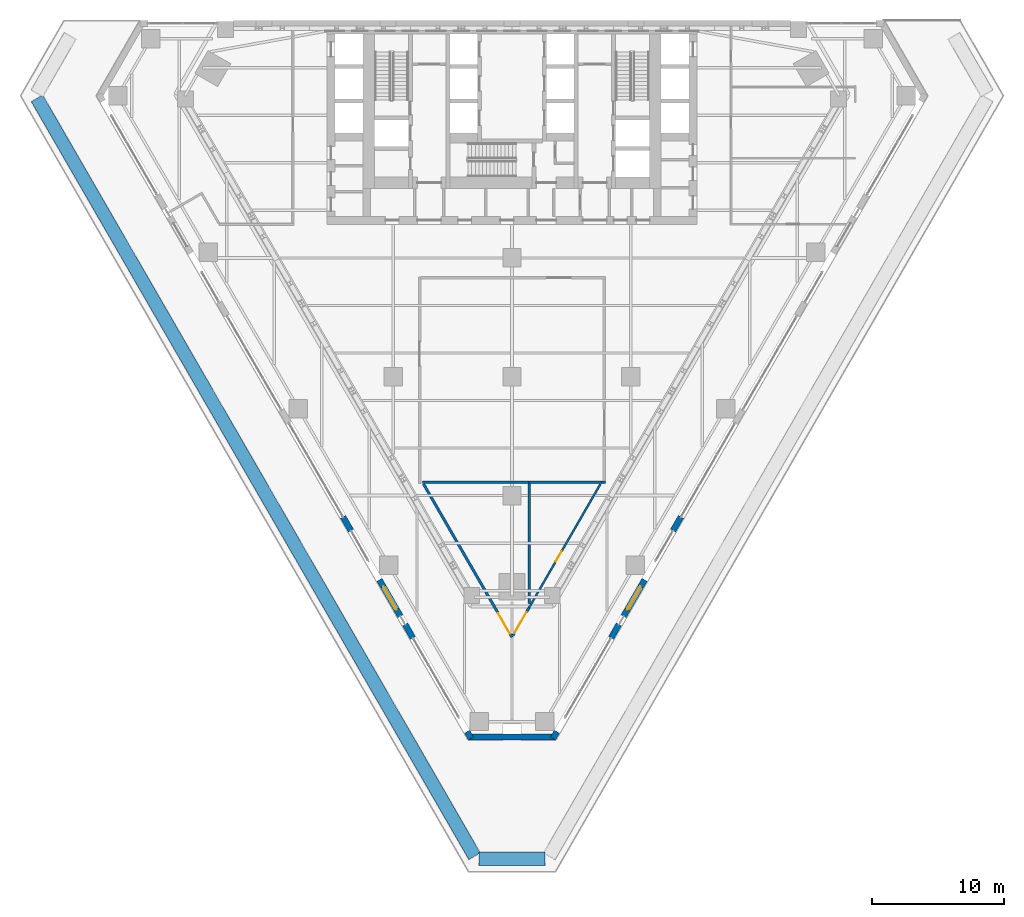
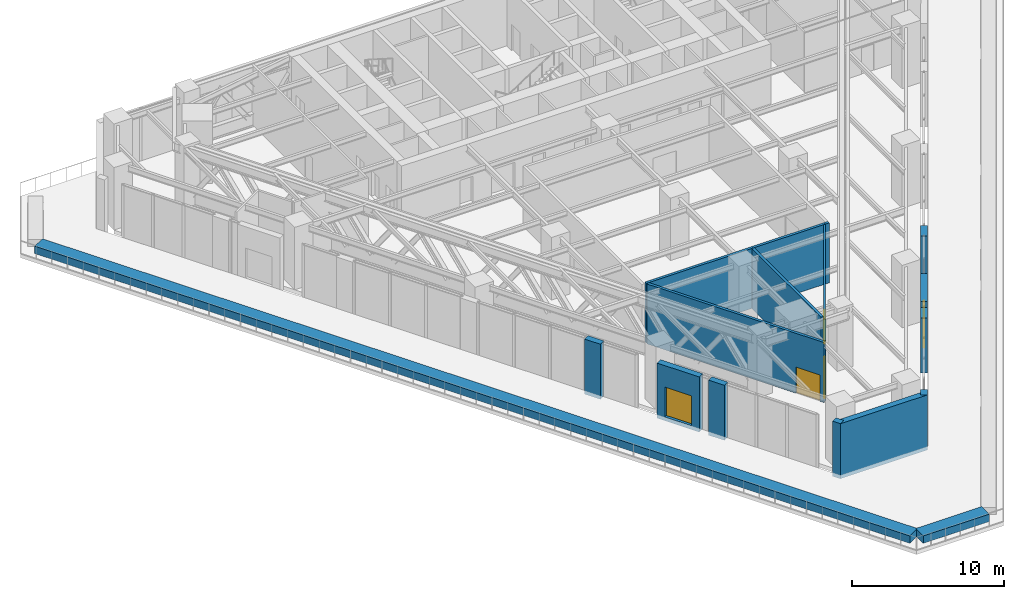
# One storey, part 17 of 25: 18 walls, 5 doors, 5 openings.
"""IFC4 building model written with IfcOpenShell, lengths in metres."""

from ifc_helpers import new_model, si_unit, direction, frame, frame_2d, origin, place, context, subcontext, project, spatial, polyline, rectangle, outline, extrude, material, layer, layer_set, type_object, element, fill, save


model = new_model("IFC4")

# Units and contexts
model_context = context("Model", 3, precision=1e-05, world=origin(), true_north=direction((0.0, 1.0)))
body_context = subcontext(model_context, "Body", "Model", "MODEL_VIEW")
ifc_project = project(units=[si_unit("LENGTHUNIT", "METRE"), si_unit("AREAUNIT", "SQUARE_METRE"), si_unit("VOLUMEUNIT", "CUBIC_METRE"), si_unit("PLANEANGLEUNIT", "RADIAN"), si_unit("MASSUNIT", "GRAM", prefix="KILO")], contexts=[model_context])

# Site, building, storey
site_placement = place(None, origin())
site = spatial("IfcSite", under=ifc_project, at=site_placement, CompositionType="ELEMENT")
building_placement = place(site_placement, origin())
building = spatial("IfcBuilding", under=site, at=building_placement, Name="Aloe Facet Convention Tower", CompositionType="ELEMENT")
storey_placement = place(building_placement, frame((0.0, 0.0, 30.0)))
storey = spatial("IfcBuildingStorey", under=building, at=storey_placement, Name="L05", CompositionType="ELEMENT", Elevation=30.0)

# Walls
ifc_material_1 = material(Name="Precast concrete C40/50", Category="concrete")
ifc_layer_1 = layer(ifc_material_1, 1.0)
ifc_layer_set_1 = layer_set([ifc_layer_1], Name="EV-PLANTER-BED")
wall_type_1 = type_object("IfcWallType", Name="EV-PLANTER-BED", PredefinedType="STANDARD", material=ifc_layer_set_1)
wall_1_placement = place(storey_placement, frame((82.5, 71.486328125, 0.0), z_axis=(0.0, 0.0, 1.0), x_axis=(-1.0, 0.0, 0.0)))
element("IfcWall", 1, at=wall_1_placement, inside=storey, type_object=wall_type_1, Name="PLANTER PT-L05-1-3", PredefinedType="STANDARD", context=body_context, shape_type="SweptSolid", body=[
    extrude(rectangle(XDim=5.0, YDim=1.0, at=frame_2d((2.5, 0.0))), origin(), (0.0, 0.0, 1.0), 0.60009765625),
])
wall_2_placement = place(storey_placement, frame((77.166015625, 71.67919921875, 0.0), z_axis=(0.0, 0.0, 1.0), x_axis=(-0.500000858155, 0.866024908328, 0.0)))
element("IfcWall", 2, at=wall_2_placement, inside=storey, type_object=wall_type_1, Name="PLANTER PT-L05-1-4", PredefinedType="STANDARD", context=body_context, shape_type="SweptSolid", body=[
    extrude(rectangle(XDim=66.2939453125, YDim=1.0, at=frame_2d((33.14697265625, 0.0))), origin(), (0.0, 0.0, 1.0), 0.60009765625),
])
ifc_material_2 = material(Name="Precast concrete C40/50", Category="concrete")
ifc_layer_2 = layer(ifc_material_2, 0.449951171875)
ifc_layer_set_2 = layer_set([ifc_layer_2], Name="EV-WALL-PIER")
wall_type_2 = type_object("IfcWallType", Name="EV-WALL-PIER", PredefinedType="SOLIDWALL", material=ifc_layer_set_2)
wall_3_placement = place(storey_placement, frame((0.0, 0.0, -0.300048828125)))
element("IfcWall", 3, at=wall_3_placement, inside=storey, type_object=wall_type_2, Name="EP-L05-B", PredefinedType="SOLIDWALL", context=body_context, shape_type="SweptSolid", body=[
    extrude(outline(polyline([(76.699951171875, 80.486328125), (77.089599609375, 80.711181640625), (76.959716796875, 80.936279296875), (83.040283203125, 80.936279296875), (82.910400390625, 80.711181640625), (83.300048828125, 80.486328125), (76.699951171875, 80.486328125)])), origin(), (0.0, 0.0, 1.0), 4.41259765625),
])
ifc_material_3 = material(Name="Precast concrete C40/50", Category="concrete")
ifc_layer_3 = layer(ifc_material_3, 0.449951171875)
ifc_layer_set_3 = layer_set([ifc_layer_3], Name="EV-WALL-STONE")
wall_type_3 = type_object("IfcWallType", Name="EV-WALL-STONE", PredefinedType="SOLIDWALL", material=ifc_layer_set_3)
wall_4_placement = place(storey_placement, frame((67.20361328125, 97.38427734375, -0.300048828125), z_axis=(0.0, 0.0, 1.0), x_axis=(0.50012165622, -0.865955154139, 0.0)))
element("IfcWall", 4, at=wall_4_placement, inside=storey, type_object=wall_type_3, Name="PW-L05-W09", PredefinedType="SOLIDWALL", context=body_context, shape_type="SweptSolid", body=[
    extrude(rectangle(XDim=1.199951171875, YDim=0.449951171875, at=frame_2d((0.60009765625, 0.0))), origin(), (0.0, 0.0, 1.0), 4.41259765625),
])

# Wall, opening, door
wall_5_placement = place(storey_placement, frame((69.951416015625, 92.625, -0.300048828125), z_axis=(0.0, 0.0, 1.0), x_axis=(0.500028443584, -0.866008981251, 0.0)))
wall_5 = element("IfcWall", 5, at=wall_5_placement, inside=storey, type_object=wall_type_3, Name="PW-L05-W10", PredefinedType="SOLIDWALL", context=body_context, shape_type="SweptSolid", body=[
    extrude(rectangle(XDim=3.199951171875, YDim=0.449951171875, at=frame_2d((1.60009765625, 0.0))), origin(), (0.0, 0.0, 1.0), 4.41259765625),
])
opening_1_placement = place(wall_5_placement, frame((0.60009765625, 0.0, 0.300048828125)))
opening_1 = element("IfcOpeningElement", 6, at=opening_1_placement, cuts=wall_5, Name="Opening D-L05-W10", PredefinedType="OPENING", context=body_context, shape_type="SweptSolid", body=[
    extrude(rectangle(XDim=2.0, YDim=2.39990234375, at=frame_2d((1.0, 1.199951171875))), frame((0.0, 0.23486328125, 0.0), z_axis=(0.0, -1.0, 0.0), x_axis=(1.0, 0.0, 0.0)), (0.0, 0.0, 1.0), 0.469970703125),
])
ifc_material_4 = material(Name="Aluminium frame, clear double glazing", Category="aluminium")
door_type_1 = type_object("IfcDoorType", Name="EV-DOOR-HALL", OperationType="DOUBLE_DOOR_SINGLE_SWING", PredefinedType="DOOR", material=ifc_material_4)
door_1_placement = place(opening_1_placement, origin())
door_1 = element("IfcDoor", 7, at=door_1_placement, inside=storey, type_object=door_type_1, Name="D-L05-W10", OperationType="DOUBLE_DOOR_SINGLE_SWING", OverallHeight=2.39990234375, OverallWidth=2.0, PredefinedType="DOOR", context=body_context, shape_type="SweptSolid", body=[
    extrude(rectangle(XDim=2.0, YDim=2.39990234375, at=frame_2d((1.0, 1.199951171875))), frame((0.0, 0.02490234375, 0.0), z_axis=(0.0, -1.0, 0.0), x_axis=(1.0, 0.0, 0.0)), (0.0, 0.0, 1.0), 0.050048828125),
])
fill(opening_1, door_1)

# Walls
wall_6_placement = place(storey_placement, frame((71.899169921875, 89.25146484375, -0.300048828125), z_axis=(0.0, 0.0, 1.0), x_axis=(0.500033551112, -0.866006032174, 0.0)))
element("IfcWall", 8, at=wall_6_placement, inside=storey, type_object=wall_type_3, Name="PW-L05-W11", PredefinedType="SOLIDWALL", context=body_context, shape_type="SweptSolid", body=[
    extrude(rectangle(XDim=1.2001953125, YDim=0.449951171875, at=frame_2d((0.60009765625, 0.0))), origin(), (0.0, 0.0, 1.0), 4.41259765625),
])
for number, where, z_axis, x_axis, name in (
    (9, (76.594970703125, 81.118408203125, -0.300048828125), (0.0, 0.0, 1.0), (0.499816412211, -0.866131372301, 0.0), "PW-L05-W13"),
    (10, (83.105224609375, 80.598876953125, -0.300048828125), (0.0, 0.0, 1.0), (0.499816412211, 0.866131372301, 0.0), "PW-L05-E01"),
):
    element("IfcWall", number, at=place(storey_placement, frame(where, z_axis=z_axis, x_axis=x_axis)), inside=storey, type_object=wall_type_3, Name=name, PredefinedType="SOLIDWALL", context=body_context, shape_type="SweptSolid", body=[
        extrude(rectangle(XDim=0.599853515625, YDim=0.449951171875, at=frame_2d((0.2998046875, 0.0))), origin(), (0.0, 0.0, 1.0), 4.41259765625),
    ])
wall_7_placement = place(storey_placement, frame((87.500732421875, 88.212158203125, -0.300048828125), z_axis=(0.0, 0.0, 1.0), x_axis=(0.500033551112, 0.866006032174, 0.0)))
element("IfcWall", 11, at=wall_7_placement, inside=storey, type_object=wall_type_3, Name="PW-L05-E03", PredefinedType="SOLIDWALL", context=body_context, shape_type="SweptSolid", body=[
    extrude(rectangle(XDim=1.2001953125, YDim=0.449951171875, at=frame_2d((0.60009765625, 0.0))), origin(), (0.0, 0.0, 1.0), 4.41259765625),
])

# Wall, opening, door
wall_8_placement = place(storey_placement, frame((88.448486328125, 89.853759765625, -0.300048828125), z_axis=(0.0, 0.0, 1.0), x_axis=(0.500028443584, 0.866008981251, 0.0)))
wall_8 = element("IfcWall", 12, at=wall_8_placement, inside=storey, type_object=wall_type_3, Name="PW-L05-E04", PredefinedType="SOLIDWALL", context=body_context, shape_type="SweptSolid", body=[
    extrude(rectangle(XDim=3.199951171875, YDim=0.449951171875, at=frame_2d((1.60009765625, 0.0))), origin(), (0.0, 0.0, 1.0), 4.41259765625),
])
opening_2_placement = place(wall_8_placement, frame((0.60009765625, 0.0, 0.300048828125)))
opening_2 = element("IfcOpeningElement", 13, at=opening_2_placement, cuts=wall_8, Name="Opening D-L05-E04", PredefinedType="OPENING", context=body_context, shape_type="SweptSolid", body=[
    extrude(rectangle(XDim=2.0, YDim=2.39990234375, at=frame_2d((1.0, 1.199951171875))), frame((0.0, 0.23486328125, 0.0), z_axis=(0.0, -1.0, 0.0), x_axis=(1.0, 0.0, 0.0)), (0.0, 0.0, 1.0), 0.469970703125),
])
door_2_placement = place(opening_2_placement, origin())
door_2 = element("IfcDoor", 14, at=door_2_placement, inside=storey, type_object=door_type_1, Name="D-L05-E04", OperationType="DOUBLE_DOOR_SINGLE_SWING", OverallHeight=2.39990234375, OverallWidth=2.0, PredefinedType="DOOR", context=body_context, shape_type="SweptSolid", body=[
    extrude(rectangle(XDim=2.0, YDim=2.39990234375, at=frame_2d((1.0, 1.199951171875))), frame((0.0, 0.02490234375, 0.0), z_axis=(0.0, -1.0, 0.0), x_axis=(1.0, 0.0, 0.0)), (0.0, 0.0, 1.0), 0.050048828125),
])
fill(opening_2, door_2)

# Wall
wall_9_placement = place(storey_placement, frame((92.1962890625, 96.34521484375, -0.300048828125), z_axis=(0.0, 0.0, 1.0), x_axis=(0.50012165622, 0.865955154139, 0.0)))
element("IfcWall", 15, at=wall_9_placement, inside=storey, type_object=wall_type_3, Name="PW-L05-E05", PredefinedType="SOLIDWALL", context=body_context, shape_type="SweptSolid", body=[
    extrude(rectangle(XDim=1.199951171875, YDim=0.449951171875, at=frame_2d((0.60009765625, 0.0))), origin(), (0.0, 0.0, 1.0), 4.41259765625),
])

# Wall, opening, door
ifc_material_5 = material(Name="Masonry blockwork wall, plastered", Category="masonry")
ifc_layer_4 = layer(ifc_material_5, 0.199951171875)
ifc_layer_set_4 = layer_set([ifc_layer_4], Name="IN-POD-W-ASSY")
wall_type_4 = type_object("IfcWallType", Name="IN-POD-W-ASSY", PredefinedType="PARTITIONING", material=ifc_layer_set_4)
wall_10_placement = place(storey_placement, frame((73.30810546875, 99.861328125, 0.0), z_axis=(0.0, 0.0, 1.0), x_axis=(0.499996150425, -0.866027626326, 0.0)))
wall_10 = element("IfcWall", 16, at=wall_10_placement, inside=storey, type_object=wall_type_4, Name="Partition L05-W001", PredefinedType="PARTITIONING", context=body_context, shape_type="SweptSolid", body=[
    extrude(rectangle(XDim=13.3837890625, YDim=0.199951171875, at=frame_2d((6.69189453125, 0.0))), origin(), (0.0, 0.0, 1.0), 4.800048828125),
])
opening_3_placement = place(wall_10_placement, frame((11.283935546875, 0.0, 0.0)))
opening_3 = element("IfcOpeningElement", 17, at=opening_3_placement, cuts=wall_10, Name="Opening L05-008", PredefinedType="OPENING", context=body_context, shape_type="SweptSolid", body=[
    extrude(rectangle(XDim=1.800048828125, YDim=2.10009765625, at=frame_2d((0.89990234375, 1.050048828125))), frame((0.0, 0.10986328125, 0.0), z_axis=(0.0, -1.0, 0.0), x_axis=(1.0, 0.0, 0.0)), (0.0, 0.0, 1.0), 0.219970703125),
])
ifc_material_6 = material(Name="Hardwood flush door pair", Category="wood")
door_type_2 = type_object("IfcDoorType", Name="IN-POD-D-PAIR", OperationType="DOUBLE_DOOR_SINGLE_SWING", PredefinedType="DOOR", material=ifc_material_6)
door_3_placement = place(opening_3_placement, origin())
door_3 = element("IfcDoor", 18, at=door_3_placement, inside=storey, type_object=door_type_2, Name="Door L05-008", OperationType="SINGLE_SWING_LEFT", OverallHeight=2.10009765625, OverallWidth=1.800048828125, PredefinedType="DOOR", context=body_context, shape_type="SweptSolid", body=[
    extrude(rectangle(XDim=1.800048828125, YDim=2.10009765625, at=frame_2d((0.89990234375, 1.050048828125))), frame((0.0, 0.02490234375, 0.0), z_axis=(0.0, -1.0, 0.0), x_axis=(1.0, 0.0, 0.0)), (0.0, 0.0, 1.0), 0.050048828125),
])
fill(opening_3, door_3)

wall_11_placement = place(storey_placement, frame((80.079833984375, 88.408935546875, 0.0), z_axis=(0.0, 0.0, 1.0), x_axis=(0.500034220881, 0.866005645448, 0.0)))
wall_11 = element("IfcWall", 19, at=wall_11_placement, inside=storey, type_object=wall_type_4, Name="Partition L05-W002", PredefinedType="PARTITIONING", context=body_context, shape_type="SweptSolid", body=[
    extrude(rectangle(XDim=2.440185546875, YDim=0.199951171875, at=frame_2d((1.22021484375, 0.0))), origin(), (0.0, 0.0, 1.0), 4.800048828125),
])
opening_4_placement = place(wall_11_placement, frame((0.218017578125, 0.0, 0.0)))
opening_4 = element("IfcOpeningElement", 20, at=opening_4_placement, cuts=wall_11, Name="Opening L05-009", PredefinedType="OPENING", context=body_context, shape_type="SweptSolid", body=[
    extrude(rectangle(XDim=1.800048828125, YDim=2.10009765625, at=frame_2d((0.89990234375, 1.050048828125))), frame((0.0, 0.10986328125, 0.0), z_axis=(0.0, -1.0, 0.0), x_axis=(1.0, 0.0, 0.0)), (0.0, 0.0, 1.0), 0.219970703125),
])
door_4_placement = place(opening_4_placement, origin())
door_4 = element("IfcDoor", 21, at=door_4_placement, inside=storey, type_object=door_type_2, Name="Door L05-009", OperationType="SINGLE_SWING_LEFT", OverallHeight=2.10009765625, OverallWidth=1.800048828125, PredefinedType="DOOR", context=body_context, shape_type="SweptSolid", body=[
    extrude(rectangle(XDim=1.800048828125, YDim=2.10009765625, at=frame_2d((0.89990234375, 1.050048828125))), frame((0.0, 0.02490234375, 0.0), z_axis=(0.0, -1.0, 0.0), x_axis=(1.0, 0.0, 0.0)), (0.0, 0.0, 1.0), 0.050048828125),
])
fill(opening_4, door_4)

# Walls
wall_12_placement = place(storey_placement, frame((81.300048828125, 90.817138671875, 0.0), z_axis=(0.0, 0.0, 1.0), x_axis=(0.0, 1.0, 0.0)))
element("IfcWall", 22, at=wall_12_placement, inside=storey, type_object=wall_type_4, Name="Partition L05-W003", PredefinedType="PARTITIONING", context=body_context, shape_type="SweptSolid", body=[
    extrude(rectangle(XDim=9.082763671875, YDim=0.199951171875, at=frame_2d((4.54150390625, 0.0))), origin(), (0.0, 0.0, 1.0), 4.800048828125),
])
wall_13_placement = place(storey_placement, frame((73.22802734375, 100.0, 0.0), z_axis=(0.0, 0.0, 1.0), x_axis=(1.0, 0.0, 0.0)))
element("IfcWall", 23, at=wall_13_placement, inside=storey, type_object=wall_type_4, Name="Partition L05-W005", PredefinedType="PARTITIONING", context=body_context, shape_type="SweptSolid", body=[
    extrude(rectangle(XDim=8.072021484375, YDim=0.199951171875, at=frame_2d((4.0361328125, 0.0))), origin(), (0.0, 0.0, 1.0), 4.800048828125),
])
wall_14_placement = place(storey_placement, frame((81.300048828125, 100.0, 0.0), z_axis=(0.0, 0.0, 1.0), x_axis=(1.0, 0.0, 0.0)))
element("IfcWall", 24, at=wall_14_placement, inside=storey, type_object=wall_type_4, Name="Partition L05-W007", PredefinedType="PARTITIONING", context=body_context, shape_type="SweptSolid", body=[
    extrude(rectangle(XDim=5.471923828125, YDim=0.199951171875, at=frame_2d((2.73583984375, 0.0))), origin(), (0.0, 0.0, 1.0), 4.800048828125),
])
wall_15_placement = place(storey_placement, frame((86.77197265625, 100.0, 0.0), z_axis=(0.0, 0.0, 1.0), x_axis=(1.0, 0.0, 0.0)))
element("IfcWall", 25, at=wall_15_placement, inside=storey, type_object=wall_type_4, Name="Partition L05-W009", PredefinedType="PARTITIONING", context=body_context, shape_type="SweptSolid", body=[
    extrude(rectangle(XDim=0.302978515625, YDim=0.199951171875, at=frame_2d((0.1513671875, 0.0))), origin(), (0.0, 0.0, 1.0), 4.800048828125),
])

# Wall, opening, door
ifc_material_7 = material(Name="Gypsum board partition on steel studs, double layer", Category="steel")
ifc_layer_5 = layer(ifc_material_7, 0.14990234375)
ifc_layer_set_5 = layer_set([ifc_layer_5], Name="IN-POD-W-CORR")
wall_type_5 = type_object("IfcWallType", Name="IN-POD-W-CORR", PredefinedType="PARTITIONING", material=ifc_layer_set_5)
wall_16_placement = place(storey_placement, frame((81.300048828125, 90.522216796875, 0.0), z_axis=(0.0, 0.0, 1.0), x_axis=(0.499993700073, 0.866029041019, 0.0)))
wall_16 = element("IfcWall", 26, at=wall_16_placement, inside=storey, type_object=wall_type_5, Name="Partition L05-W008", PredefinedType="PARTITIONING", context=body_context, shape_type="SweptSolid", body=[
    extrude(rectangle(XDim=10.803955078125, YDim=0.14990234375, at=frame_2d((5.40185546875, 0.0))), origin(), (0.0, 0.0, 1.0), 4.800048828125),
])
opening_5_placement = place(wall_16_placement, frame((4.021728515625, 0.0, 0.0)))
opening_5 = element("IfcOpeningElement", 27, at=opening_5_placement, cuts=wall_16, Name="Opening L05-010", PredefinedType="OPENING", context=body_context, shape_type="SweptSolid", body=[
    extrude(rectangle(XDim=0.89990234375, YDim=2.10009765625, at=frame_2d((0.449951171875, 1.050048828125))), frame((0.0, 0.0849609375, 0.0), z_axis=(0.0, -1.0, 0.0), x_axis=(1.0, 0.0, 0.0)), (0.0, 0.0, 1.0), 0.169921875),
])
ifc_material_8 = material(Name="Hardwood flush door", Category="wood")
door_type_3 = type_object("IfcDoorType", Name="IN-POD-D-SGL", OperationType="SINGLE_SWING_LEFT", PredefinedType="DOOR", material=ifc_material_8)
door_5_placement = place(opening_5_placement, origin())
door_5 = element("IfcDoor", 28, at=door_5_placement, inside=storey, type_object=door_type_3, Name="Door L05-010", OperationType="SINGLE_SWING_LEFT", OverallHeight=2.10009765625, OverallWidth=0.89990234375, PredefinedType="DOOR", context=body_context, shape_type="SweptSolid", body=[
    extrude(rectangle(XDim=0.89990234375, YDim=2.10009765625, at=frame_2d((0.449951171875, 1.050048828125))), frame((0.0, 0.02490234375, 0.0), z_axis=(0.0, -1.0, 0.0), x_axis=(1.0, 0.0, 0.0)), (0.0, 0.0, 1.0), 0.050048828125),
])
fill(opening_5, door_5)

save(model, "model.ifc")
